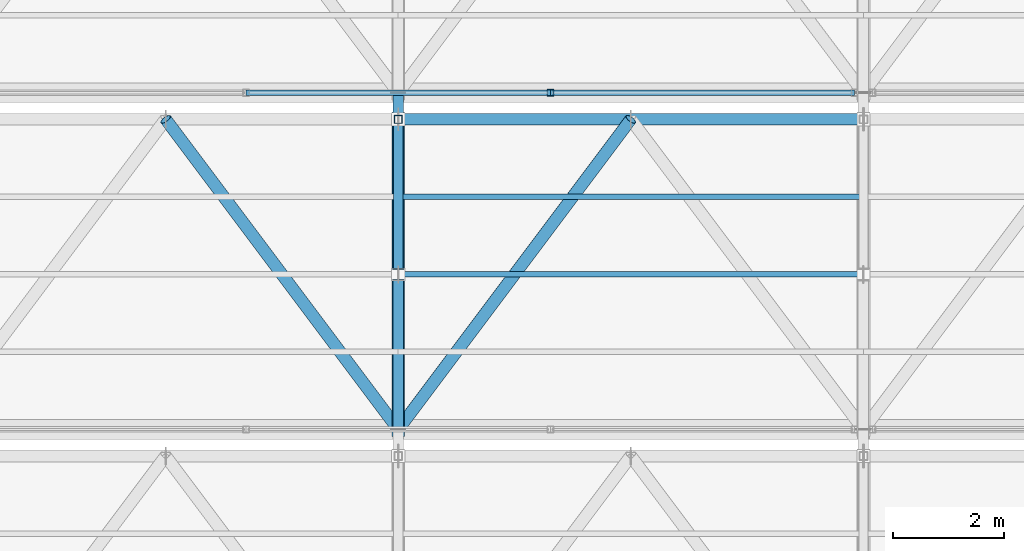
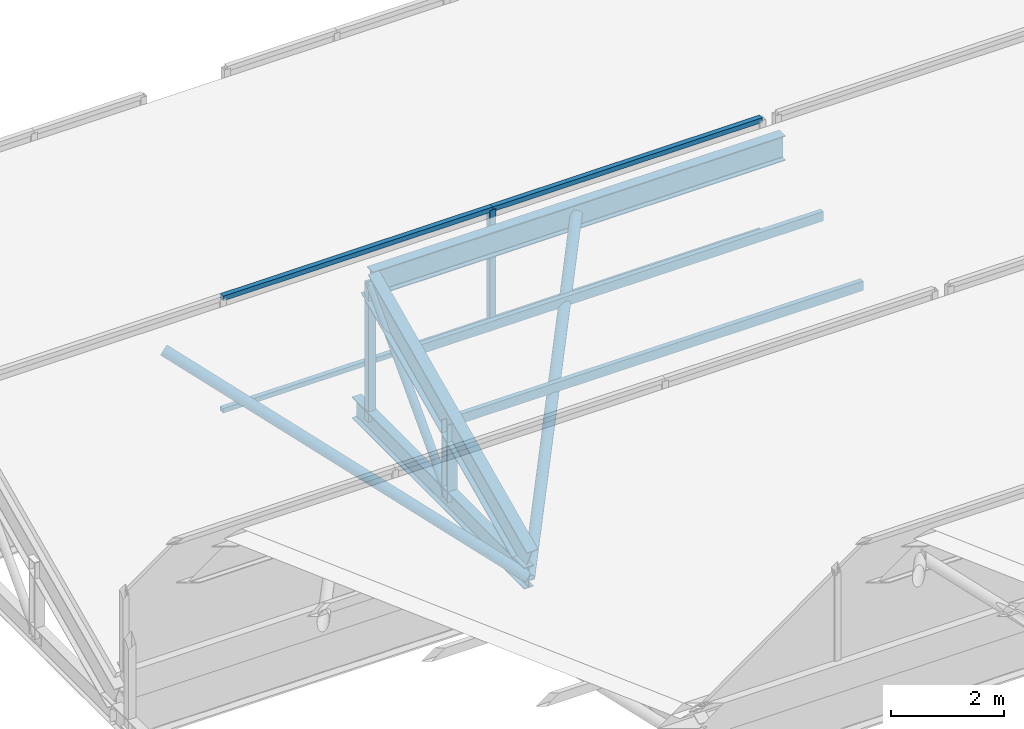
# One storey, part 104 of 217: 15 members, 1 element without a shape of its own.
"""IFC4 building model written with IfcOpenShell, lengths in metres."""

from ifc_helpers import new_model, si_unit, direction, frame, origin, origin_2d, place, context, subcontext, project, spatial, hollow_rectangle, hollow_circle, i_section, extrude, material, material_profile, profile_set, type_object, element, aggregate, save


model = new_model("IFC4")

# Units and contexts
model_context = context("Model", 3, precision=1e-05, world=origin(), true_north=direction((0.0, 1.0)))
body_context = subcontext(model_context, "Body", "Model", "MODEL_VIEW")
ifc_project = project(units=[si_unit("LENGTHUNIT", "METRE"), si_unit("AREAUNIT", "SQUARE_METRE"), si_unit("VOLUMEUNIT", "CUBIC_METRE"), si_unit("PLANEANGLEUNIT", "RADIAN"), si_unit("MASSUNIT", "GRAM", prefix="KILO")], contexts=[model_context])

# Site, building, storey
site_placement = place(None, origin())
site = spatial("IfcSite", under=ifc_project, at=site_placement, CompositionType="ELEMENT")
building_placement = place(site_placement, origin())
building = spatial("IfcBuilding", under=site, at=building_placement, Name="Zuvorla Pavilion Media Centre", CompositionType="ELEMENT")
storey_placement = place(building_placement, frame((0.0, 0.0, 9.60009765625)))
storey = spatial("IfcBuildingStorey", under=building, at=storey_placement, Name="L02", CompositionType="ELEMENT", Elevation=9.60009765625)

# Curtain wall, members
ifc_material_1 = material(Name="Unitised anodised aluminium and solar glass curtain wall", Category="aluminium")
curtain_wall_type = type_object("IfcCurtainWallType", Name="CW-SYS-88", PredefinedType="USERDEFINED", material=ifc_material_1)
curtain_wall_placement = place(storey_placement, origin())
curtain_wall = element("IfcCurtainWall", 1, at=curtain_wall_placement, inside=storey, type_object=curtain_wall_type, Name="L02 curtain wall CW88 212", ObjectType="CURTAIN WALL", PredefinedType="USERDEFINED")
ifc_material_2 = material(Name="Anodised aluminium 6063-T6", Category="aluminium")
ifc_material_profile_1 = material_profile(ifc_material_2, hollow_rectangle(XDim=0.1201171875, YDim=0.1201171875, WallThickness=0.0048828125, at=origin_2d()), Name="ALU MULL 120x120")
ifc_profile_set_1 = profile_set([ifc_material_profile_1], Name="Anodised aluminium 6063-T6")
member_type_1 = type_object("IfcMemberType", Name="CW-MULL-120", PredefinedType="MULLION", material=ifc_profile_set_1)
member_1_placement = place(storey_placement, frame((77.94677734375, 113.919921875, 0.0), z_axis=(0.0, 0.0, 1.0), x_axis=(1.0, 0.0, 0.0)))
member_1 = element("IfcMember", 2, at=member_1_placement, type_object=member_type_1, Name="CW88 mullion 3", PredefinedType="MULLION", context=body_context, shape_type="SweptSolid", body=[
    extrude(hollow_rectangle(XDim=0.1201171875, YDim=0.1201171875, WallThickness=0.0048828125, at=origin_2d()), origin(), (0.0, 0.0, 1.0), 2.419921875),
])
ifc_material_profile_2 = material_profile(ifc_material_2, hollow_rectangle(XDim=0.10009765625, YDim=0.10009765625, WallThickness=0.00439453125, at=origin_2d()), Name="ALU TRAN 100x100")
ifc_profile_set_2 = profile_set([ifc_material_profile_2], Name="Anodised aluminium 6063-T6")
member_type_2 = type_object("IfcMemberType", Name="CW-TRAN-100", PredefinedType="USERDEFINED", material=ifc_profile_set_2)
member_2_placement = place(storey_placement, frame((72.453369140625, 113.919921875, 0.0), z_axis=(1.0, 0.0, 0.0), x_axis=(0.0, 1.0, 0.0)))
member_2 = element("IfcMember", 3, at=member_2_placement, type_object=member_type_2, Name="CW88 transom 2.1", ObjectType="TRANSOM", PredefinedType="USERDEFINED", context=body_context, shape_type="SweptSolid", body=[
    extrude(hollow_rectangle(XDim=0.10009765625, YDim=0.10009765625, WallThickness=0.00439453125, at=origin_2d()), origin(), (0.0, 0.0, 1.0), 5.493408203125),
])
member_3_placement = place(storey_placement, frame((72.453369140625, 113.919921875, 2.419921875), z_axis=(1.0, 0.0, 0.0), x_axis=(0.0, 1.0, 0.0)))
member_3 = element("IfcMember", 4, at=member_3_placement, type_object=member_type_2, Name="CW88 transom 2.2", ObjectType="TRANSOM", PredefinedType="USERDEFINED", context=body_context, shape_type="SweptSolid", body=[
    extrude(hollow_rectangle(XDim=0.10009765625, YDim=0.10009765625, WallThickness=0.00439453125, at=origin_2d()), origin(), (0.0, 0.0, 1.0), 5.493408203125),
])
member_4_placement = place(storey_placement, frame((77.94677734375, 113.919921875, 0.0), z_axis=(1.0, 0.0, 0.0), x_axis=(0.0, 1.0, 0.0)))
member_4 = element("IfcMember", 5, at=member_4_placement, type_object=member_type_2, Name="CW88 transom 3.1", ObjectType="TRANSOM", PredefinedType="USERDEFINED", context=body_context, shape_type="SweptSolid", body=[
    extrude(hollow_rectangle(XDim=0.10009765625, YDim=0.10009765625, WallThickness=0.00439453125, at=origin_2d()), origin(), (0.0, 0.0, 1.0), 5.4931640625),
])
member_5_placement = place(storey_placement, frame((77.94677734375, 113.919921875, 2.419921875), z_axis=(1.0, 0.0, 0.0), x_axis=(0.0, 1.0, 0.0)))
member_5 = element("IfcMember", 6, at=member_5_placement, type_object=member_type_2, Name="CW88 transom 3.2", ObjectType="TRANSOM", PredefinedType="USERDEFINED", context=body_context, shape_type="SweptSolid", body=[
    extrude(hollow_rectangle(XDim=0.10009765625, YDim=0.10009765625, WallThickness=0.00439453125, at=origin_2d()), origin(), (0.0, 0.0, 1.0), 5.4931640625),
])
aggregate(curtain_wall, [member_1, member_2, member_3, member_4, member_5])

# Members
ifc_material_3 = material(Name="Steel S355", Category="steel")
ifc_material_profile_3 = material_profile(ifc_material_3, hollow_circle(Radius=0.084228515625, WallThickness=0.008056640625, at=origin_2d()), Name="CHS 168.3x8")
ifc_profile_set_3 = profile_set([ifc_material_profile_3], Name="Steel S355")
member_type_3 = type_object("IfcMemberType", Name="MEM-BRC-CHS168", PredefinedType="BRACE", material=ifc_profile_set_3)
member_6_placement = place(storey_placement, frame((75.199951171875, 110.639892578125, -0.880126953125), z_axis=(0.0, 0.68676242614, 0.726881950555), x_axis=(-1.0, 0.0, 0.0)))
element("IfcMember", 7, at=member_6_placement, inside=storey, type_object=member_type_3, Name="L02 diagonal brace TB03 320", PredefinedType="BRACE", context=body_context, shape_type="SweptSolid", body=[
    extrude(hollow_circle(Radius=0.084228515625, WallThickness=0.008056640625, at=origin_2d()), origin(), (0.0, 0.0, 1.0), 4.0771484375),
])
ifc_material_profile_4 = material_profile(ifc_material_3, hollow_circle(Radius=0.109619140625, WallThickness=0.010009765625, at=origin_2d()), Name="CHS 219.1x10")
ifc_profile_set_4 = profile_set([ifc_material_profile_4], Name="Steel S355")
member_type_4 = type_object("IfcMemberType", Name="MEM-BRC-CHS219", PredefinedType="BRACE", material=ifc_profile_set_4)
for number, where, z_axis, x_axis, name in (
    (8, (71.0, 113.43994140625, 2.08349609375), (0.552524670006, -0.736688854033, -0.389879495972), (0.799995814625, 0.600005580459, 0.0), "L02 diagonal brace TB02 359"),
    (9, (75.199951171875, 107.840087890625, -0.880126953125), (0.552524670006, 0.736688854033, 0.389879495972), (-0.799995814625, 0.600005580459, 0.0), "L02 diagonal brace TB02 364"),
):
    element("IfcMember", number, at=place(storey_placement, frame(where, z_axis=z_axis, x_axis=x_axis)), inside=storey, type_object=member_type_4, Name=name, PredefinedType="BRACE", context=body_context, shape_type="SweptSolid", body=[
        extrude(hollow_circle(Radius=0.109619140625, WallThickness=0.010009765625, at=origin_2d()), origin(), (0.0, 0.0, 1.0), 7.601318359375),
    ])
ifc_material_profile_5 = material_profile(ifc_material_3, i_section(OverallWidth=0.19140625, OverallDepth=0.4599609375, WebThickness=0.010009765625, FlangeThickness=0.01611328125, FilletRadius=0.01025390625, at=origin_2d()), Name="UB 457x191x82")
ifc_profile_set_5 = profile_set([ifc_material_profile_5], Name="Steel S355")
member_type_5 = type_object("IfcMemberType", Name="MEM-CHD-UB457", PredefinedType="CHORD", material=ifc_profile_set_5)
member_7_placement = place(storey_placement, frame((75.199951171875, 107.840087890625, -0.880126953125), z_axis=(0.0, 1.0, 0.0), x_axis=(-1.0, 0.0, 0.0)))
element("IfcMember", 10, at=member_7_placement, inside=storey, type_object=member_type_5, Name="L02 chord TC03 317", PredefinedType="CHORD", context=body_context, shape_type="SweptSolid", body=[
    extrude(i_section(OverallWidth=0.19140625, OverallDepth=0.4599609375, WebThickness=0.010009765625, FlangeThickness=0.01611328125, FilletRadius=0.01025390625, at=origin_2d()), origin(), (0.0, 0.0, 1.0), 6.079833984375),
])
ifc_material_profile_6 = material_profile(ifc_material_3, i_section(OverallWidth=0.2099609375, OverallDepth=0.53662109375, WebThickness=0.0107421875, FlangeThickness=0.017333984375, FilletRadius=0.0126953125, at=origin_2d()), Name="UB 533x210x101")
ifc_profile_set_6 = profile_set([ifc_material_profile_6], Name="Steel S355")
member_type_6 = type_object("IfcMemberType", Name="MEM-CHD-UB533", PredefinedType="CHORD", material=ifc_profile_set_6)
member_8_placement = place(storey_placement, frame((75.199951171875, 113.43994140625, 2.08349609375), z_axis=(1.0, 0.0, 0.0), x_axis=(0.0, 1.0, 0.0)))
element("IfcMember", 11, at=member_8_placement, inside=storey, type_object=member_type_6, Name="L02 chord TC02 363", PredefinedType="CHORD", context=body_context, shape_type="SweptSolid", body=[
    extrude(i_section(OverallWidth=0.2099609375, OverallDepth=0.53662109375, WebThickness=0.0107421875, FlangeThickness=0.017333984375, FilletRadius=0.0126953125, at=origin_2d()), origin(), (0.0, 0.0, 1.0), 8.400146484375),
])
ifc_material_profile_7 = material_profile(ifc_material_3, i_section(OverallWidth=0.22900390625, OverallDepth=0.6123046875, WebThickness=0.011962890625, FlangeThickness=0.01953125, FilletRadius=0.0126953125, at=origin_2d()), Name="UB 610x229x125")
ifc_profile_set_7 = profile_set([ifc_material_profile_7], Name="Steel S355")
member_type_7 = type_object("IfcMemberType", Name="MEM-CHD-UB610", PredefinedType="CHORD", material=ifc_profile_set_7)
member_9_placement = place(storey_placement, frame((75.199951171875, 107.840087890625, -0.5166015625), z_axis=(0.0, 0.906998718654, 0.421133380724), x_axis=(-1.0, 0.0, 0.0)))
element("IfcMember", 12, at=member_9_placement, inside=storey, type_object=member_type_7, Name="L02 chord TC01 318", PredefinedType="CHORD", context=body_context, shape_type="SweptSolid", body=[
    extrude(i_section(OverallWidth=0.22900390625, OverallDepth=0.6123046875, WebThickness=0.011962890625, FlangeThickness=0.01953125, FilletRadius=0.0126953125, at=origin_2d()), origin(), (0.0, 0.0, 1.0), 6.174072265625),
])
ifc_material_profile_8 = material_profile(ifc_material_3, hollow_rectangle(XDim=0.10009765625, YDim=0.199951171875, WallThickness=0.008056640625, at=origin_2d()), Name="RHS 200x100x8")
ifc_profile_set_8 = profile_set([ifc_material_profile_8], Name="Steel S355")
member_type_8 = type_object("IfcMemberType", Name="MEM-PUR-RHS200", PredefinedType="PURLIN", material=ifc_profile_set_8)
for number, where, z_axis, x_axis, name in (
    (13, (75.199951171875, 110.639892578125, 0.783447265625), (1.0, 0.0, 0.0), (0.0, 1.0, 0.0), "L02 purlin PR01 367"),
    (14, (75.199951171875, 112.0400390625, 1.43359375), (1.0, 0.0, 0.0), (0.0, 1.0, 0.0), "L02 purlin PR01 368"),
):
    element("IfcMember", number, at=place(storey_placement, frame(where, z_axis=z_axis, x_axis=x_axis)), inside=storey, type_object=member_type_8, Name=name, PredefinedType="PURLIN", context=body_context, shape_type="SweptSolid", body=[
        extrude(hollow_rectangle(XDim=0.10009765625, YDim=0.199951171875, WallThickness=0.008056640625, at=origin_2d()), origin(), (0.0, 0.0, 1.0), 8.400146484375),
    ])
ifc_material_profile_9 = material_profile(ifc_material_3, hollow_rectangle(XDim=0.14990234375, YDim=0.14990234375, WallThickness=0.008056640625, at=origin_2d()), Name="SHS 150x150x8")
ifc_profile_set_9 = profile_set([ifc_material_profile_9], Name="Steel S355")
member_type_9 = type_object("IfcMemberType", Name="MEM-STR-SHS150", PredefinedType="STRUT", material=ifc_profile_set_9)
member_10_placement = place(storey_placement, frame((75.199951171875, 113.43994140625, -0.880126953125), z_axis=(0.0, 0.0, 1.0), x_axis=(1.0, 0.0, 0.0)))
element("IfcMember", 15, at=member_10_placement, inside=storey, type_object=member_type_9, Name="L02 vertical strut TS01 319", PredefinedType="STRUT", context=body_context, shape_type="SweptSolid", body=[
    extrude(hollow_rectangle(XDim=0.14990234375, YDim=0.14990234375, WallThickness=0.008056640625, at=origin_2d()), origin(), (0.0, 0.0, 1.0), 2.963623046875),
])
ifc_material_profile_10 = material_profile(ifc_material_3, i_section(OverallWidth=0.205810546875, OverallDepth=0.209716796875, WebThickness=0.009521484375, FlangeThickness=0.01416015625, FilletRadius=0.01025390625, at=origin_2d()), Name="UC 203x203x60")
ifc_profile_set_10 = profile_set([ifc_material_profile_10], Name="Steel S355")
member_type_10 = type_object("IfcMemberType", Name="MEM-STR-UC203", PredefinedType="STRUT", material=ifc_profile_set_10)
member_11_placement = place(storey_placement, frame((75.199951171875, 110.639892578125, -0.880126953125), z_axis=(0.0, 0.0, 1.0), x_axis=(1.0, 0.0, 0.0)))
element("IfcMember", 16, at=member_11_placement, inside=storey, type_object=member_type_10, Name="L02 vertical strut TS02 321", PredefinedType="STRUT", context=body_context, shape_type="SweptSolid", body=[
    extrude(i_section(OverallWidth=0.205810546875, OverallDepth=0.209716796875, WebThickness=0.009521484375, FlangeThickness=0.01416015625, FilletRadius=0.01025390625, at=origin_2d()), origin(), (0.0, 0.0, 1.0), 1.66357421875),
])

save(model, "model.ifc")
